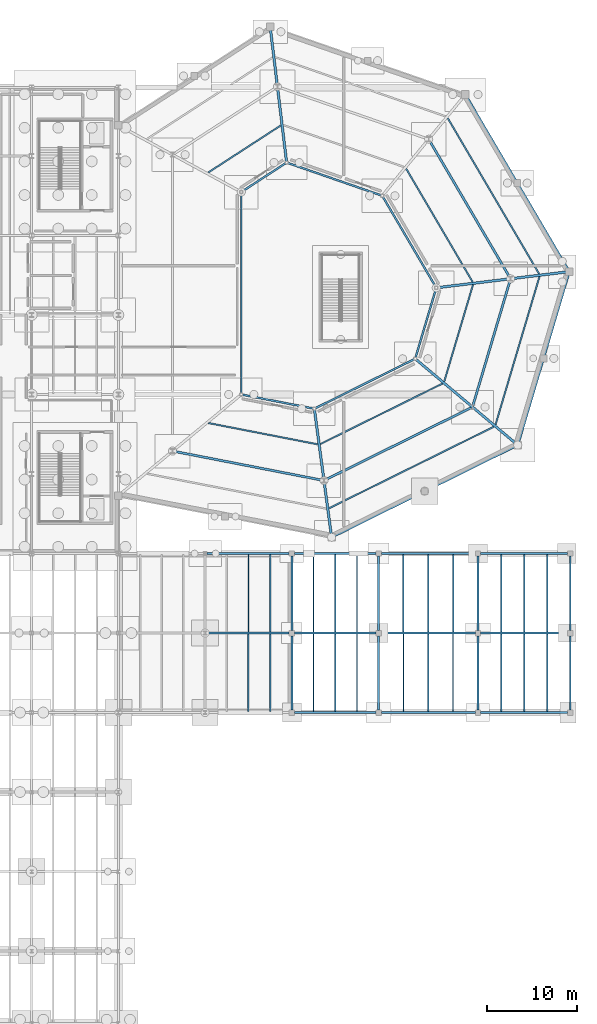
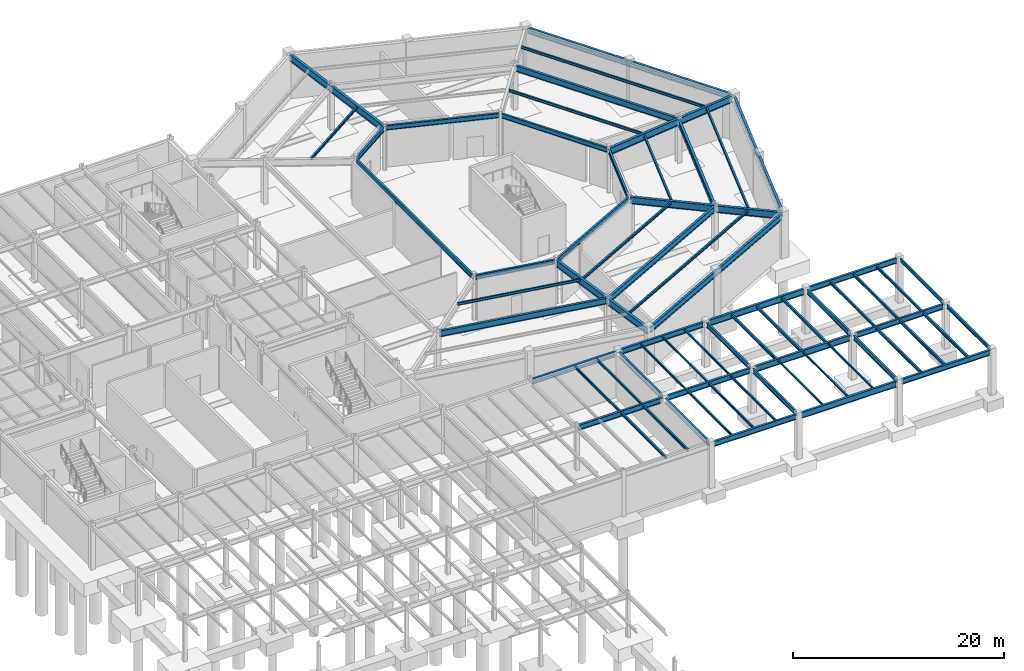
# One storey, part 23 of 48: 67 beams.
"""IFC4 building model written with IfcOpenShell, lengths in metres."""

from ifc_helpers import new_model, si_unit, direction, frame, origin, origin_2d, place, context, subcontext, project, spatial, i_section, extrude, material, material_profile, profile_set, type_object, element, save


model = new_model("IFC4")

# Units and contexts
model_context = context("Model", 3, precision=1e-05, world=origin(), true_north=direction((0.0, 1.0)))
body_context = subcontext(model_context, "Body", "Model", "MODEL_VIEW")
ifc_project = project(units=[si_unit("LENGTHUNIT", "METRE"), si_unit("AREAUNIT", "SQUARE_METRE"), si_unit("VOLUMEUNIT", "CUBIC_METRE"), si_unit("PLANEANGLEUNIT", "RADIAN"), si_unit("MASSUNIT", "GRAM", prefix="KILO")], contexts=[model_context])

# Site, building, storey
site_placement = place(None, origin())
site = spatial("IfcSite", under=ifc_project, at=site_placement, CompositionType="ELEMENT")
building_placement = place(site_placement, origin())
building = spatial("IfcBuilding", under=site, at=building_placement, Name="Sarnbrook Museum", CompositionType="ELEMENT")
storey_placement = place(building_placement, frame((0.0, 0.0, -5.39990234375)))
storey = spatial("IfcBuildingStorey", under=building, at=storey_placement, Name="B1", CompositionType="ELEMENT", Elevation=-5.39990234375)

# Beams
ifc_material_1 = material(Name="Structural Steel Grade 300PLUS (AS/NZS 3679.1, fy = 280 MPa for 17 < t <= 40 mm, 300 MPa for t <= 17 mm)", Category="steel")
ifc_material_profile_1 = material_profile(ifc_material_1, i_section(OverallWidth=0.208984375, OverallDepth=0.532958984375, WebThickness=0.01025390625, FlangeThickness=0.015625, FilletRadius=0.013916015625, at=origin_2d()), Name="530UB92.4")
ifc_profile_set_1 = profile_set([ifc_material_profile_1], Name="Structural Steel Grade 300PLUS (AS/NZS 3679.1, fy = 280 MPa for 17 < t <= 40 mm, 300 MPa for t <= 17 mm)")
beam_type_1 = type_object("IfcBeamType", Name="BM-UB530", PredefinedType="BEAM", material=ifc_profile_set_1)
for number, where, z_axis, x_axis, name in (
    (1, (138.39990234375, 39.5, 4.843505859375), (0.0, 1.0, 0.0), (-1.0, 0.0, 0.0), "Girder 15:E-F B1"),
    (2, (138.39990234375, 48.300048828125, 4.843505859375), (0.0, 1.0, 0.0), (-1.0, 0.0, 0.0), "Girder 15:F-G B1"),
    (3, (148.0, 39.5, 4.893310546875), (0.0, 1.0, 0.0), (-1.0, 0.0, 0.0), "Girder 16:E-F B1"),
    (4, (148.0, 48.300048828125, 4.893310546875), (0.0, 1.0, 0.0), (-1.0, 0.0, 0.0), "Girder 16:F-G B1"),
    (5, (159.0, 39.5, 4.893310546875), (0.0, 1.0, 0.0), (-1.0, 0.0, 0.0), "Girder 17:E-F B1"),
    (6, (159.0, 48.300048828125, 4.893310546875), (0.0, 1.0, 0.0), (-1.0, 0.0, 0.0), "Girder 17:F-G B1"),
):
    element("IfcBeam", number, at=place(storey_placement, frame(where, z_axis=z_axis, x_axis=x_axis)), inside=storey, type_object=beam_type_1, Name=name, PredefinedType="BEAM", context=body_context, shape_type="SweptSolid", body=[
        extrude(i_section(OverallWidth=0.208984375, OverallDepth=0.532958984375, WebThickness=0.01025390625, FlangeThickness=0.015625, FilletRadius=0.013916015625, at=origin_2d()), origin(), (0.0, 0.0, 1.0), 8.199951171875),
    ])
beam_1_placement = place(storey_placement, frame((132.917724609375, 74.382080078125, 4.823486328125), z_axis=(0.981531426605, -0.191300963369, 0.0), x_axis=(0.191300963369, 0.981531426605, 0.0)))
element("IfcBeam", 7, at=beam_1_placement, inside=storey, type_object=beam_type_1, Name="Crystal Hall R2 Ring Girder 1 B1", PredefinedType="BEAM", context=body_context, shape_type="SweptSolid", body=[
    extrude(i_section(OverallWidth=0.208984375, OverallDepth=0.532958984375, WebThickness=0.01025390625, FlangeThickness=0.015625, FilletRadius=0.013916015625, at=origin_2d()), origin(), (0.0, 0.0, 1.0), 7.999267578125),
])
beam_2_placement = place(storey_placement, frame((140.99462890625, 72.882080078125, 4.823486328125), z_axis=(0.896163006555, 0.443724988796, 0.0), x_axis=(-0.443724988796, 0.896163006555, 0.0)))
element("IfcBeam", 8, at=beam_2_placement, inside=storey, type_object=beam_type_1, Name="Crystal Hall R2 Ring Girder 2 B1", PredefinedType="BEAM", context=body_context, shape_type="SweptSolid", body=[
    extrude(i_section(OverallWidth=0.208984375, OverallDepth=0.532958984375, WebThickness=0.01025390625, FlangeThickness=0.015625, FilletRadius=0.013916015625, at=origin_2d()), origin(), (0.0, 0.0, 1.0), 12.216796875),
])
beam_3_placement = place(storey_placement, frame((152.08447265625, 78.47119140625, 4.823486328125), z_axis=(0.284603578138, 0.958645295879, 0.0), x_axis=(-0.958645295879, 0.284603578138, 0.0)))
element("IfcBeam", 9, at=beam_3_placement, inside=storey, type_object=beam_type_1, Name="Crystal Hall R2 Ring Girder 3 B1", PredefinedType="BEAM", context=body_context, shape_type="SweptSolid", body=[
    extrude(i_section(OverallWidth=0.208984375, OverallDepth=0.532958984375, WebThickness=0.01025390625, FlangeThickness=0.015625, FilletRadius=0.013916015625, at=origin_2d()), origin(), (0.0, 0.0, 1.0), 7.952880859375),
])
beam_4_placement = place(storey_placement, frame((154.3212890625, 86.313720703125, 4.823486328125), z_axis=(-0.506064427748, 0.862495678231, 0.0), x_axis=(-0.862495678231, -0.506064427748, 0.0)))
element("IfcBeam", 10, at=beam_4_placement, inside=storey, type_object=beam_type_1, Name="Crystal Hall R2 Ring Girder 4 B1", PredefinedType="BEAM", context=body_context, shape_type="SweptSolid", body=[
    extrude(i_section(OverallWidth=0.208984375, OverallDepth=0.532958984375, WebThickness=0.01025390625, FlangeThickness=0.015625, FilletRadius=0.013916015625, at=origin_2d()), origin(), (0.0, 0.0, 1.0), 11.569580078125),
])
beam_5_placement = place(storey_placement, frame((148.292236328125, 96.435302734375, 4.823486328125), z_axis=(-0.944674814318, 0.328008376711, 0.0), x_axis=(-0.328008376711, -0.944674814318, 0.0)))
element("IfcBeam", 11, at=beam_5_placement, inside=storey, type_object=beam_type_1, Name="Crystal Hall R2 Ring Girder 5 B1", PredefinedType="BEAM", context=body_context, shape_type="SweptSolid", body=[
    extrude(i_section(OverallWidth=0.208984375, OverallDepth=0.532958984375, WebThickness=0.01025390625, FlangeThickness=0.015625, FilletRadius=0.013916015625, at=origin_2d()), origin(), (0.0, 0.0, 1.0), 10.962890625),
])
beam_6_placement = place(storey_placement, frame((137.7216796875, 100.00537109375, 4.823486328125), z_axis=(-0.838900474039, -0.544284846984, 0.0), x_axis=(0.544284846984, -0.838900474039, 0.0)))
element("IfcBeam", 12, at=beam_6_placement, inside=storey, type_object=beam_type_1, Name="Crystal Hall R2 Ring Girder 6 B1", PredefinedType="BEAM", context=body_context, shape_type="SweptSolid", body=[
    extrude(i_section(OverallWidth=0.208984375, OverallDepth=0.532958984375, WebThickness=0.01025390625, FlangeThickness=0.015625, FilletRadius=0.013916015625, at=origin_2d()), origin(), (0.0, 0.0, 1.0), 5.746826171875),
])
beam_7_placement = place(storey_placement, frame((132.800048828125, 96.692138671875, 4.823486328125), z_axis=(0.0, -1.0, 0.0), x_axis=(1.0, 0.0, 0.0)))
element("IfcBeam", 13, at=beam_7_placement, inside=storey, type_object=beam_type_1, Name="Crystal Hall R2 Ring Girder 7 B1", PredefinedType="BEAM", context=body_context, shape_type="SweptSolid", body=[
    extrude(i_section(OverallWidth=0.208984375, OverallDepth=0.532958984375, WebThickness=0.01025390625, FlangeThickness=0.015625, FilletRadius=0.013916015625, at=origin_2d()), origin(), (0.0, 0.0, 1.0), 22.1669921875),
])
ifc_material_profile_2 = material_profile(ifc_material_1, i_section(OverallWidth=0.22900390625, OverallDepth=0.612060546875, WebThickness=0.011962890625, FlangeThickness=0.01953125, FilletRadius=0.013916015625, at=origin_2d()), Name="610UB125")
ifc_profile_set_2 = profile_set([ifc_material_profile_2], Name="Structural Steel Grade 300PLUS (AS/NZS 3679.1, fy = 280 MPa for 17 < t <= 40 mm, 300 MPa for t <= 17 mm)")
beam_type_2 = type_object("IfcBeamType", Name="BM-UB610H", PredefinedType="BEAM", material=ifc_profile_set_2)
beam_8_placement = place(storey_placement, frame((138.699951171875, 39.199951171875, 4.85400390625), z_axis=(1.0, 0.0, 0.0), x_axis=(0.0, 1.0, 0.0)))
element("IfcBeam", 14, at=beam_8_placement, inside=storey, type_object=beam_type_2, Name="Girder E:15-16 B1", PredefinedType="BEAM", context=body_context, shape_type="SweptSolid", body=[
    extrude(i_section(OverallWidth=0.22900390625, OverallDepth=0.612060546875, WebThickness=0.011962890625, FlangeThickness=0.01953125, FilletRadius=0.013916015625, at=origin_2d()), origin(), (0.0, 0.0, 1.0), 9.0),
])
beam_9_placement = place(storey_placement, frame((159.300048828125, 39.199951171875, 4.85400390625), z_axis=(1.0, 0.0, 0.0), x_axis=(0.0, 1.0, 0.0)))
element("IfcBeam", 15, at=beam_9_placement, inside=storey, type_object=beam_type_2, Name="Girder E:17-18 B1", PredefinedType="BEAM", context=body_context, shape_type="SweptSolid", body=[
    extrude(i_section(OverallWidth=0.22900390625, OverallDepth=0.612060546875, WebThickness=0.011962890625, FlangeThickness=0.01953125, FilletRadius=0.013916015625, at=origin_2d()), origin(), (0.0, 0.0, 1.0), 9.599853515625),
])
beam_10_placement = place(storey_placement, frame((129.0, 48.0, 4.803955078125), z_axis=(1.0, 0.0, 0.0), x_axis=(0.0, 1.0, 0.0)))
element("IfcBeam", 16, at=beam_10_placement, inside=storey, type_object=beam_type_2, Name="Girder F:14-15 B1", PredefinedType="BEAM", context=body_context, shape_type="SweptSolid", body=[
    extrude(i_section(OverallWidth=0.22900390625, OverallDepth=0.612060546875, WebThickness=0.011962890625, FlangeThickness=0.01953125, FilletRadius=0.013916015625, at=origin_2d()), origin(), (0.0, 0.0, 1.0), 9.10009765625),
])
beam_11_placement = place(storey_placement, frame((138.699951171875, 48.0, 4.85400390625), z_axis=(1.0, 0.0, 0.0), x_axis=(0.0, 1.0, 0.0)))
element("IfcBeam", 17, at=beam_11_placement, inside=storey, type_object=beam_type_2, Name="Girder F:15-16 B1", PredefinedType="BEAM", context=body_context, shape_type="SweptSolid", body=[
    extrude(i_section(OverallWidth=0.22900390625, OverallDepth=0.612060546875, WebThickness=0.011962890625, FlangeThickness=0.01953125, FilletRadius=0.013916015625, at=origin_2d()), origin(), (0.0, 0.0, 1.0), 9.0),
])
beam_12_placement = place(storey_placement, frame((159.300048828125, 48.0, 4.85400390625), z_axis=(1.0, 0.0, 0.0), x_axis=(0.0, 1.0, 0.0)))
element("IfcBeam", 18, at=beam_12_placement, inside=storey, type_object=beam_type_2, Name="Girder F:17-18 B1", PredefinedType="BEAM", context=body_context, shape_type="SweptSolid", body=[
    extrude(i_section(OverallWidth=0.22900390625, OverallDepth=0.612060546875, WebThickness=0.011962890625, FlangeThickness=0.01953125, FilletRadius=0.013916015625, at=origin_2d()), origin(), (0.0, 0.0, 1.0), 9.599853515625),
])
beam_13_placement = place(storey_placement, frame((129.0, 56.800048828125, 4.803955078125), z_axis=(1.0, 0.0, 0.0), x_axis=(0.0, 1.0, 0.0)))
element("IfcBeam", 19, at=beam_13_placement, inside=storey, type_object=beam_type_2, Name="Girder G:14-15 B1", PredefinedType="BEAM", context=body_context, shape_type="SweptSolid", body=[
    extrude(i_section(OverallWidth=0.22900390625, OverallDepth=0.612060546875, WebThickness=0.011962890625, FlangeThickness=0.01953125, FilletRadius=0.013916015625, at=origin_2d()), origin(), (0.0, 0.0, 1.0), 9.10009765625),
])
beam_14_placement = place(storey_placement, frame((138.699951171875, 56.800048828125, 4.85400390625), z_axis=(1.0, 0.0, 0.0), x_axis=(0.0, 1.0, 0.0)))
element("IfcBeam", 20, at=beam_14_placement, inside=storey, type_object=beam_type_2, Name="Girder G:15-16 B1", PredefinedType="BEAM", context=body_context, shape_type="SweptSolid", body=[
    extrude(i_section(OverallWidth=0.22900390625, OverallDepth=0.612060546875, WebThickness=0.011962890625, FlangeThickness=0.01953125, FilletRadius=0.013916015625, at=origin_2d()), origin(), (0.0, 0.0, 1.0), 9.0),
])
beam_15_placement = place(storey_placement, frame((159.300048828125, 56.800048828125, 4.85400390625), z_axis=(1.0, 0.0, 0.0), x_axis=(0.0, 1.0, 0.0)))
element("IfcBeam", 21, at=beam_15_placement, inside=storey, type_object=beam_type_2, Name="Girder G:17-18 B1", PredefinedType="BEAM", context=body_context, shape_type="SweptSolid", body=[
    extrude(i_section(OverallWidth=0.22900390625, OverallDepth=0.612060546875, WebThickness=0.011962890625, FlangeThickness=0.01953125, FilletRadius=0.013916015625, at=origin_2d()), origin(), (0.0, 0.0, 1.0), 9.599853515625),
])
ifc_material_2 = material(Name="Structural Steel Grade 350L0 (AS/NZS 3678, fy = 340 MPa for 20 < t <= 40 mm)", Category="steel")
ifc_material_profile_3 = material_profile(ifc_material_2, i_section(OverallWidth=0.25, OverallDepth=0.699951171875, WebThickness=0.010009765625, FlangeThickness=0.01611328125, at=origin_2d()), Name="700WB130")
ifc_profile_set_3 = profile_set([ifc_material_profile_3], Name="Structural Steel Grade 350L0 (AS/NZS 3678, fy = 340 MPa for 20 < t <= 40 mm)")
beam_type_3 = type_object("IfcBeamType", Name="BM-WB700", PredefinedType="BEAM", material=ifc_profile_set_3)
for number, where, z_axis, x_axis, name in (
    (22, (148.300048828125, 39.199951171875, 4.809814453125), (1.0, 0.0, 0.0), (0.0, 1.0, 0.0), "Girder E:16-17 B1"),
    (23, (148.300048828125, 48.0, 4.809814453125), (1.0, 0.0, 0.0), (0.0, 1.0, 0.0), "Girder F:16-17 B1"),
    (24, (148.300048828125, 56.800048828125, 4.809814453125), (1.0, 0.0, 0.0), (0.0, 1.0, 0.0), "Girder G:16-17 B1"),
):
    element("IfcBeam", number, at=place(storey_placement, frame(where, z_axis=z_axis, x_axis=x_axis)), inside=storey, type_object=beam_type_3, Name=name, PredefinedType="BEAM", context=body_context, shape_type="SweptSolid", body=[
        extrude(i_section(OverallWidth=0.25, OverallDepth=0.699951171875, WebThickness=0.010009765625, FlangeThickness=0.01611328125, at=origin_2d()), origin(), (0.0, 0.0, 1.0), 10.39990234375),
    ])
beam_16_placement = place(storey_placement, frame((125.35693359375, 68.11279296875, 4.739990234375), z_axis=(0.981528590883, -0.191315512384, 0.0), x_axis=(0.191315512384, 0.981528590883, 0.0)))
element("IfcBeam", 25, at=beam_16_placement, inside=storey, type_object=beam_type_3, Name="Crystal Hall R1 Ring Girder 1 B1", PredefinedType="BEAM", context=body_context, shape_type="SweptSolid", body=[
    extrude(i_section(OverallWidth=0.25, OverallDepth=0.699951171875, WebThickness=0.010009765625, FlangeThickness=0.01611328125, at=origin_2d()), origin(), (0.0, 0.0, 1.0), 16.75146484375),
])
beam_17_placement = place(storey_placement, frame((143.02392578125, 58.7109375, 4.739990234375), z_axis=(0.896159699382, 0.443731668021, 0.0), x_axis=(-0.443731668021, 0.896159699382, 0.0)))
element("IfcBeam", 26, at=beam_17_placement, inside=storey, type_object=beam_type_3, Name="Crystal Hall Perimeter Ring Girder 2 B1", PredefinedType="BEAM", context=body_context, shape_type="SweptSolid", body=[
    extrude(i_section(OverallWidth=0.25, OverallDepth=0.699951171875, WebThickness=0.010009765625, FlangeThickness=0.01611328125, at=origin_2d()), origin(), (0.0, 0.0, 1.0), 22.487060546875),
])
beam_18_placement = place(storey_placement, frame((142.099609375, 64.948486328125, 4.739990234375), z_axis=(0.8961652972, 0.443720362497, 0.0), x_axis=(-0.443720362497, 0.8961652972, 0.0)))
element("IfcBeam", 27, at=beam_18_placement, inside=storey, type_object=beam_type_3, Name="Crystal Hall R1 Ring Girder 2 B1", PredefinedType="BEAM", context=body_context, shape_type="SweptSolid", body=[
    extrude(i_section(OverallWidth=0.25, OverallDepth=0.699951171875, WebThickness=0.010009765625, FlangeThickness=0.01611328125, at=origin_2d()), origin(), (0.0, 0.0, 1.0), 18.021240234375),
])
beam_19_placement = place(storey_placement, frame((163.47119140625, 69.039794921875, 4.739990234375), z_axis=(0.284597390812, 0.958647132757, 0.0), x_axis=(-0.958647132757, 0.284597390812, 0.0)))
element("IfcBeam", 28, at=beam_19_placement, inside=storey, type_object=beam_type_3, Name="Crystal Hall Perimeter Ring Girder 3 B1", PredefinedType="BEAM", context=body_context, shape_type="SweptSolid", body=[
    extrude(i_section(OverallWidth=0.25, OverallDepth=0.699951171875, WebThickness=0.010009765625, FlangeThickness=0.01611328125, at=origin_2d()), origin(), (0.0, 0.0, 1.0), 19.528076171875),
])
beam_20_placement = place(storey_placement, frame((158.438232421875, 73.169189453125, 4.739990234375), z_axis=(0.284607000201, 0.958644279927, 0.0), x_axis=(-0.958644279927, 0.284607000201, 0.0)))
element("IfcBeam", 29, at=beam_20_placement, inside=storey, type_object=beam_type_3, Name="Crystal Hall R1 Ring Girder 3 B1", PredefinedType="BEAM", context=body_context, shape_type="SweptSolid", body=[
    extrude(i_section(OverallWidth=0.25, OverallDepth=0.699951171875, WebThickness=0.010009765625, FlangeThickness=0.01611328125, at=origin_2d()), origin(), (0.0, 0.0, 1.0), 14.48681640625),
])
beam_21_placement = place(storey_placement, frame((168.973388671875, 88.215576171875, 4.739990234375), z_axis=(-0.506049588583, 0.862504384856, 0.0), x_axis=(-0.862504384856, -0.506049588583, 0.0)))
element("IfcBeam", 30, at=beam_21_placement, inside=storey, type_object=beam_type_3, Name="Crystal Hall Perimeter Ring Girder 4 B1", PredefinedType="BEAM", context=body_context, shape_type="SweptSolid", body=[
    extrude(i_section(OverallWidth=0.25, OverallDepth=0.699951171875, WebThickness=0.010009765625, FlangeThickness=0.01611328125, at=origin_2d()), origin(), (0.0, 0.0, 1.0), 22.224853515625),
])
beam_22_placement = place(storey_placement, frame((162.52587890625, 87.348388671875, 4.739990234375), z_axis=(-0.506057154474, 0.862499945743, 0.0), x_axis=(-0.862499945743, -0.506057154474, 0.0)))
element("IfcBeam", 31, at=beam_22_placement, inside=storey, type_object=beam_type_3, Name="Crystal Hall R1 Ring Girder 4 B1", PredefinedType="BEAM", context=body_context, shape_type="SweptSolid", body=[
    extrude(i_section(OverallWidth=0.25, OverallDepth=0.699951171875, WebThickness=0.010009765625, FlangeThickness=0.01611328125, at=origin_2d()), origin(), (0.0, 0.0, 1.0), 17.589111328125),
])
ifc_material_profile_4 = material_profile(ifc_material_2, i_section(OverallWidth=0.27490234375, OverallDepth=0.800048828125, WebThickness=0.010009765625, FlangeThickness=0.01611328125, at=origin_2d()), Name="800WB146")
ifc_profile_set_4 = profile_set([ifc_material_profile_4], Name="Structural Steel Grade 350L0 (AS/NZS 3678, fy = 340 MPa for 20 < t <= 40 mm)")
beam_type_4 = type_object("IfcBeamType", Name="CR-CANT", PredefinedType="BEAM", material=ifc_profile_set_4)
beam_23_placement = place(storey_placement, frame((140.9033203125, 72.7099609375, 4.68994140625), z_axis=(0.133225086928, -0.991085806685, 0.0), x_axis=(0.991085806685, 0.133225086928, 0.0)))
element("IfcBeam", 32, at=beam_23_placement, inside=storey, type_object=beam_type_4, Name="Crystal Hall Radial Cantilever Girder 2 B1", PredefinedType="BEAM", context=body_context, shape_type="SweptSolid", body=[
    extrude(i_section(OverallWidth=0.27490234375, OverallDepth=0.800048828125, WebThickness=0.010009765625, FlangeThickness=0.01611328125, at=origin_2d()), origin(), (0.0, 0.0, 1.0), 14.086669921875),
])
beam_24_placement = place(storey_placement, frame((152.14208984375, 78.27880859375, 4.68994140625), z_axis=(0.764962479797, -0.644074843867, 0.0), x_axis=(0.644074843867, 0.764962479797, 0.0)))
element("IfcBeam", 33, at=beam_24_placement, inside=storey, type_object=beam_type_4, Name="Crystal Hall Radial Cantilever Girder 3 B1", PredefinedType="BEAM", context=body_context, shape_type="SweptSolid", body=[
    extrude(i_section(OverallWidth=0.27490234375, OverallDepth=0.800048828125, WebThickness=0.010009765625, FlangeThickness=0.01611328125, at=origin_2d()), origin(), (0.0, 0.0, 1.0), 14.567138671875),
])
beam_25_placement = place(storey_placement, frame((154.501220703125, 86.224609375, 4.68994140625), z_axis=(0.992685983377, 0.12072505294, 0.0), x_axis=(-0.12072505294, 0.992685983377, 0.0)))
element("IfcBeam", 34, at=beam_25_placement, inside=storey, type_object=beam_type_4, Name="Crystal Hall Radial Cantilever Girder 4 B1", PredefinedType="BEAM", context=body_context, shape_type="SweptSolid", body=[
    extrude(i_section(OverallWidth=0.27490234375, OverallDepth=0.800048828125, WebThickness=0.010009765625, FlangeThickness=0.01611328125, at=origin_2d()), origin(), (0.0, 0.0, 1.0), 14.556396484375),
])
beam_26_placement = place(storey_placement, frame((137.80810546875, 100.189697265625, 4.68994140625), z_axis=(-0.120382362103, 0.992727599543, 0.0), x_axis=(-0.992727599543, -0.120382362103, 0.0)))
element("IfcBeam", 35, at=beam_26_placement, inside=storey, type_object=beam_type_4, Name="Crystal Hall Radial Cantilever Girder 6 B1", PredefinedType="BEAM", context=body_context, shape_type="SweptSolid", body=[
    extrude(i_section(OverallWidth=0.27490234375, OverallDepth=0.800048828125, WebThickness=0.010009765625, FlangeThickness=0.01611328125, at=origin_2d()), origin(), (0.0, 0.0, 1.0), 14.86962890625),
])
ifc_material_profile_5 = material_profile(ifc_material_1, i_section(OverallWidth=0.134033203125, OverallDepth=0.20703125, WebThickness=0.00634765625, FlangeThickness=0.009521484375, FilletRadius=0.0087890625, at=origin_2d()), Name="200UB29.8")
ifc_profile_set_5 = profile_set([ifc_material_profile_5], Name="Structural Steel Grade 300PLUS (AS/NZS 3679.1, fy = 280 MPa for 17 < t <= 40 mm, 300 MPa for t <= 17 mm)")
beam_type_5 = type_object("IfcBeamType", Name="JS-UB200", PredefinedType="JOIST", material=ifc_profile_set_5)
for number, where, z_axis, x_axis, name in (
    (36, (140.800048828125, 48.114501953125, 5.056396484375), (0.0, 1.0, 0.0), (-1.0, 0.0, 0.0), "Composite Floor Joist 15F-1 B1"),
    (37, (143.199951171875, 48.114501953125, 5.056396484375), (0.0, 1.0, 0.0), (-1.0, 0.0, 0.0), "Composite Floor Joist 15F-2 B1"),
    (38, (145.60009765625, 48.114501953125, 5.056396484375), (0.0, 1.0, 0.0), (-1.0, 0.0, 0.0), "Composite Floor Joist 15F-3 B1"),
):
    element("IfcBeam", number, at=place(storey_placement, frame(where, z_axis=z_axis, x_axis=x_axis)), inside=storey, type_object=beam_type_5, Name=name, PredefinedType="JOIST", context=body_context, shape_type="SweptSolid", body=[
        extrude(i_section(OverallWidth=0.134033203125, OverallDepth=0.20703125, WebThickness=0.00634765625, FlangeThickness=0.009521484375, FilletRadius=0.0087890625, at=origin_2d()), origin(), (0.0, 0.0, 1.0), 8.571044921875),
    ])
for number, where, z_axis, x_axis, name in (
    (39, (150.75, 39.324951171875, 5.056396484375), (0.0, 1.0, 0.0), (-1.0, 0.0, 0.0), "Composite Floor Joist 16E-1 B1"),
    (40, (153.5, 39.324951171875, 5.056396484375), (0.0, 1.0, 0.0), (-1.0, 0.0, 0.0), "Composite Floor Joist 16E-2 B1"),
    (41, (156.25, 39.324951171875, 5.056396484375), (0.0, 1.0, 0.0), (-1.0, 0.0, 0.0), "Composite Floor Joist 16E-3 B1"),
):
    element("IfcBeam", number, at=place(storey_placement, frame(where, z_axis=z_axis, x_axis=x_axis)), inside=storey, type_object=beam_type_5, Name=name, PredefinedType="JOIST", context=body_context, shape_type="SweptSolid", body=[
        extrude(i_section(OverallWidth=0.134033203125, OverallDepth=0.20703125, WebThickness=0.00634765625, FlangeThickness=0.009521484375, FilletRadius=0.0087890625, at=origin_2d()), origin(), (0.0, 0.0, 1.0), 8.550048828125),
    ])
ifc_material_profile_6 = material_profile(ifc_material_1, i_section(OverallWidth=0.14599609375, OverallDepth=0.256103515625, WebThickness=0.00634765625, FlangeThickness=0.010986328125, FilletRadius=0.0087890625, at=origin_2d()), Name="250UB37.3")
ifc_profile_set_6 = profile_set([ifc_material_profile_6], Name="Structural Steel Grade 300PLUS (AS/NZS 3679.1, fy = 280 MPa for 17 < t <= 40 mm, 300 MPa for t <= 17 mm)")
beam_type_6 = type_object("IfcBeamType", Name="JS-UB250", PredefinedType="JOIST", material=ifc_profile_set_6)
for number, where, z_axis, x_axis, name in (
    (42, (133.60009765625, 48.114501953125, 4.98193359375), (0.0, 1.0, 0.0), (-1.0, 0.0, 0.0), "Composite Floor Joist 14F-2 B1"),
    (43, (136.0, 48.114501953125, 4.98193359375), (0.0, 1.0, 0.0), (-1.0, 0.0, 0.0), "Composite Floor Joist 14F-3 B1"),
    (44, (140.800048828125, 39.314453125, 5.031982421875), (0.0, 1.0, 0.0), (-1.0, 0.0, 0.0), "Composite Floor Joist 15E-1 B1"),
    (45, (143.199951171875, 39.314453125, 5.031982421875), (0.0, 1.0, 0.0), (-1.0, 0.0, 0.0), "Composite Floor Joist 15E-2 B1"),
    (46, (145.60009765625, 39.314453125, 5.031982421875), (0.0, 1.0, 0.0), (-1.0, 0.0, 0.0), "Composite Floor Joist 15E-3 B1"),
):
    element("IfcBeam", number, at=place(storey_placement, frame(where, z_axis=z_axis, x_axis=x_axis)), inside=storey, type_object=beam_type_6, Name=name, PredefinedType="JOIST", context=body_context, shape_type="SweptSolid", body=[
        extrude(i_section(OverallWidth=0.14599609375, OverallDepth=0.256103515625, WebThickness=0.00634765625, FlangeThickness=0.010986328125, FilletRadius=0.0087890625, at=origin_2d()), origin(), (0.0, 0.0, 1.0), 8.571044921875),
    ])
ifc_material_profile_7 = material_profile(ifc_material_1, i_section(OverallWidth=0.1650390625, OverallDepth=0.303955078125, WebThickness=0.006103515625, FlangeThickness=0.01025390625, FilletRadius=0.011474609375, at=origin_2d()), Name="310UB40.4")
ifc_profile_set_7 = profile_set([ifc_material_profile_7], Name="Structural Steel Grade 300PLUS (AS/NZS 3679.1, fy = 280 MPa for 17 < t <= 40 mm, 300 MPa for t <= 17 mm)")
beam_type_7 = type_object("IfcBeamType", Name="JS-UB310", PredefinedType="JOIST", material=ifc_profile_set_7)
for number, where, z_axis, x_axis, name in (
    (47, (133.60009765625, 39.314453125, 4.9580078125), (0.0, 1.0, 0.0), (-1.0, 0.0, 0.0), "Composite Floor Joist 14E-2 B1"),
    (48, (136.0, 39.314453125, 4.9580078125), (0.0, 1.0, 0.0), (-1.0, 0.0, 0.0), "Composite Floor Joist 14E-3 B1"),
):
    element("IfcBeam", number, at=place(storey_placement, frame(where, z_axis=z_axis, x_axis=x_axis)), inside=storey, type_object=beam_type_7, Name=name, PredefinedType="JOIST", context=body_context, shape_type="SweptSolid", body=[
        extrude(i_section(OverallWidth=0.1650390625, OverallDepth=0.303955078125, WebThickness=0.006103515625, FlangeThickness=0.01025390625, FilletRadius=0.011474609375, at=origin_2d()), origin(), (0.0, 0.0, 1.0), 8.571044921875),
    ])
beam_27_placement = place(storey_placement, frame((129.156982421875, 71.24365234375, 4.93798828125), z_axis=(0.981530313101, -0.191306676475, 0.0), x_axis=(0.191306676475, 0.981530313101, 0.0)))
element("IfcBeam", 49, at=beam_27_placement, inside=storey, type_object=beam_type_7, Name="Crystal Hall Tangential Joist MI-1 B1", PredefinedType="JOIST", context=body_context, shape_type="SweptSolid", body=[
    extrude(i_section(OverallWidth=0.1650390625, OverallDepth=0.303955078125, WebThickness=0.006103515625, FlangeThickness=0.01025390625, FilletRadius=0.011474609375, at=origin_2d()), origin(), (0.0, 0.0, 1.0), 12.33544921875),
])
beam_28_placement = place(storey_placement, frame((142.521484375, 61.809814453125, 4.93798828125), z_axis=(0.896162900566, 0.443725202855, 0.0), x_axis=(-0.443725202855, 0.896162900566, 0.0)))
element("IfcBeam", 50, at=beam_28_placement, inside=storey, type_object=beam_type_7, Name="Crystal Hall Tangential Joist MO-2 B1", PredefinedType="JOIST", context=body_context, shape_type="SweptSolid", body=[
    extrude(i_section(OverallWidth=0.1650390625, OverallDepth=0.303955078125, WebThickness=0.006103515625, FlangeThickness=0.01025390625, FilletRadius=0.011474609375, at=origin_2d()), origin(), (0.0, 0.0, 1.0), 20.343994140625),
])
beam_29_placement = place(storey_placement, frame((141.56494140625, 68.924072265625, 4.93798828125), z_axis=(0.89616253794, 0.443725935227, 0.0), x_axis=(-0.443725935227, 0.89616253794, 0.0)))
element("IfcBeam", 51, at=beam_29_placement, inside=storey, type_object=beam_type_7, Name="Crystal Hall Tangential Joist MI-2 B1", PredefinedType="JOIST", context=body_context, shape_type="SweptSolid", body=[
    extrude(i_section(OverallWidth=0.1650390625, OverallDepth=0.303955078125, WebThickness=0.006103515625, FlangeThickness=0.01025390625, FilletRadius=0.011474609375, at=origin_2d()), origin(), (0.0, 0.0, 1.0), 15.078857421875),
])
beam_30_placement = place(storey_placement, frame((160.94189453125, 71.061279296875, 4.93798828125), z_axis=(0.284598288426, 0.958646866278, 0.0), x_axis=(-0.958646866278, 0.284598288426, 0.0)))
element("IfcBeam", 52, at=beam_30_placement, inside=storey, type_object=beam_type_7, Name="Crystal Hall Tangential Joist MO-3 B1", PredefinedType="JOIST", context=body_context, shape_type="SweptSolid", body=[
    extrude(i_section(OverallWidth=0.1650390625, OverallDepth=0.303955078125, WebThickness=0.006103515625, FlangeThickness=0.01025390625, FilletRadius=0.011474609375, at=origin_2d()), origin(), (0.0, 0.0, 1.0), 17.09765625),
])
beam_31_placement = place(storey_placement, frame((155.26708984375, 75.83935546875, 4.93798828125), z_axis=(0.284608009206, 0.958643980368, 0.0), x_axis=(-0.958643980368, 0.284608009206, 0.0)))
element("IfcBeam", 53, at=beam_31_placement, inside=storey, type_object=beam_type_7, Name="Crystal Hall Tangential Joist MI-3 B1", PredefinedType="JOIST", context=body_context, shape_type="SweptSolid", body=[
    extrude(i_section(OverallWidth=0.1650390625, OverallDepth=0.303955078125, WebThickness=0.006103515625, FlangeThickness=0.01025390625, FilletRadius=0.011474609375, at=origin_2d()), origin(), (0.0, 0.0, 1.0), 11.179931640625),
])
beam_32_placement = place(storey_placement, frame((165.7724609375, 87.7431640625, 4.93798828125), z_axis=(-0.506059419233, 0.86249861693, 0.0), x_axis=(-0.86249861693, -0.506059419233, 0.0)))
element("IfcBeam", 54, at=beam_32_placement, inside=storey, type_object=beam_type_7, Name="Crystal Hall Tangential Joist MO-4 B1", PredefinedType="JOIST", context=body_context, shape_type="SweptSolid", body=[
    extrude(i_section(OverallWidth=0.1650390625, OverallDepth=0.303955078125, WebThickness=0.006103515625, FlangeThickness=0.01025390625, FilletRadius=0.011474609375, at=origin_2d()), origin(), (0.0, 0.0, 1.0), 19.996826171875),
])
beam_33_placement = place(storey_placement, frame((158.413330078125, 86.848388671875, 4.93798828125), z_axis=(-0.50605775092, 0.862499595788, 0.0), x_axis=(-0.862499595788, -0.50605775092, 0.0)))
element("IfcBeam", 55, at=beam_33_placement, inside=storey, type_object=beam_type_7, Name="Crystal Hall Tangential Joist MI-4 B1", PredefinedType="JOIST", context=body_context, shape_type="SweptSolid", body=[
    extrude(i_section(OverallWidth=0.1650390625, OverallDepth=0.303955078125, WebThickness=0.006103515625, FlangeThickness=0.01025390625, FilletRadius=0.011474609375, at=origin_2d()), origin(), (0.0, 0.0, 1.0), 14.5390625),
])
beam_34_placement = place(storey_placement, frame((137.178955078125, 104.18310546875, 4.93798828125), z_axis=(-0.838887141633, -0.54430539553, 0.0), x_axis=(0.54430539553, -0.838887141633, 0.0)))
element("IfcBeam", 56, at=beam_34_placement, inside=storey, type_object=beam_type_7, Name="Crystal Hall Tangential Joist MI-6 B1", PredefinedType="JOIST", context=body_context, shape_type="SweptSolid", body=[
    extrude(i_section(OverallWidth=0.1650390625, OverallDepth=0.303955078125, WebThickness=0.006103515625, FlangeThickness=0.01025390625, FilletRadius=0.011474609375, at=origin_2d()), origin(), (0.0, 0.0, 1.0), 9.589599609375),
])
ifc_material_profile_8 = material_profile(ifc_material_1, i_section(OverallWidth=0.166015625, OverallDepth=0.306884765625, WebThickness=0.006591796875, FlangeThickness=0.01171875, FilletRadius=0.011474609375, at=origin_2d()), Name="310UB46.2")
ifc_profile_set_8 = profile_set([ifc_material_profile_8], Name="Structural Steel Grade 300PLUS (AS/NZS 3679.1, fy = 280 MPa for 17 < t <= 40 mm, 300 MPa for t <= 17 mm)")
beam_type_8 = type_object("IfcBeamType", Name="JS-UB310H", PredefinedType="JOIST", material=ifc_profile_set_8)
for number, where, z_axis, x_axis, name in (
    (57, (161.550048828125, 48.114501953125, 5.00634765625), (0.0, 1.0, 0.0), (-1.0, 0.0, 0.0), "Composite Floor Joist 17F-1 B1"),
    (58, (164.10009765625, 48.114501953125, 5.00634765625), (0.0, 1.0, 0.0), (-1.0, 0.0, 0.0), "Composite Floor Joist 17F-2 B1"),
    (59, (166.64990234375, 48.114501953125, 5.00634765625), (0.0, 1.0, 0.0), (-1.0, 0.0, 0.0), "Composite Floor Joist 17F-3 B1"),
):
    element("IfcBeam", number, at=place(storey_placement, frame(where, z_axis=z_axis, x_axis=x_axis)), inside=storey, type_object=beam_type_8, Name=name, PredefinedType="JOIST", context=body_context, shape_type="SweptSolid", body=[
        extrude(i_section(OverallWidth=0.166015625, OverallDepth=0.306884765625, WebThickness=0.006591796875, FlangeThickness=0.01171875, FilletRadius=0.011474609375, at=origin_2d()), origin(), (0.0, 0.0, 1.0), 8.571044921875),
    ])
ifc_material_profile_9 = material_profile(ifc_material_1, i_section(OverallWidth=0.1708984375, OverallDepth=0.35595703125, WebThickness=0.00732421875, FlangeThickness=0.011474609375, FilletRadius=0.011474609375, at=origin_2d()), Name="360UB50.7")
ifc_profile_set_9 = profile_set([ifc_material_profile_9], Name="Structural Steel Grade 300PLUS (AS/NZS 3679.1, fy = 280 MPa for 17 < t <= 40 mm, 300 MPa for t <= 17 mm)")
beam_type_9 = type_object("IfcBeamType", Name="JS-UB360", PredefinedType="JOIST", material=ifc_profile_set_9)
for number, where, z_axis, x_axis, name in (
    (60, (150.75, 48.125, 4.98193359375), (0.0, 1.0, 0.0), (-1.0, 0.0, 0.0), "Composite Floor Joist 16F-1 B1"),
    (61, (153.5, 48.125, 4.98193359375), (0.0, 1.0, 0.0), (-1.0, 0.0, 0.0), "Composite Floor Joist 16F-2 B1"),
    (62, (156.25, 48.125, 4.98193359375), (0.0, 1.0, 0.0), (-1.0, 0.0, 0.0), "Composite Floor Joist 16F-3 B1"),
):
    element("IfcBeam", number, at=place(storey_placement, frame(where, z_axis=z_axis, x_axis=x_axis)), inside=storey, type_object=beam_type_9, Name=name, PredefinedType="JOIST", context=body_context, shape_type="SweptSolid", body=[
        extrude(i_section(OverallWidth=0.1708984375, OverallDepth=0.35595703125, WebThickness=0.00732421875, FlangeThickness=0.011474609375, FilletRadius=0.011474609375, at=origin_2d()), origin(), (0.0, 0.0, 1.0), 8.550048828125),
    ])
for number, where, z_axis, x_axis, name in (
    (63, (161.550048828125, 39.314453125, 4.98193359375), (0.0, 1.0, 0.0), (-1.0, 0.0, 0.0), "Composite Floor Joist 17E-1 B1"),
    (64, (164.10009765625, 39.314453125, 4.98193359375), (0.0, 1.0, 0.0), (-1.0, 0.0, 0.0), "Composite Floor Joist 17E-2 B1"),
    (65, (166.64990234375, 39.314453125, 4.98193359375), (0.0, 1.0, 0.0), (-1.0, 0.0, 0.0), "Composite Floor Joist 17E-3 B1"),
):
    element("IfcBeam", number, at=place(storey_placement, frame(where, z_axis=z_axis, x_axis=x_axis)), inside=storey, type_object=beam_type_9, Name=name, PredefinedType="JOIST", context=body_context, shape_type="SweptSolid", body=[
        extrude(i_section(OverallWidth=0.1708984375, OverallDepth=0.35595703125, WebThickness=0.00732421875, FlangeThickness=0.011474609375, FilletRadius=0.011474609375, at=origin_2d()), origin(), (0.0, 0.0, 1.0), 8.571044921875),
    ])
ifc_material_profile_10 = material_profile(ifc_material_1, i_section(OverallWidth=0.177978515625, OverallDepth=0.406005859375, WebThickness=0.0078125, FlangeThickness=0.0126953125, FilletRadius=0.011474609375, at=origin_2d()), Name="410UB59.7")
ifc_profile_set_10 = profile_set([ifc_material_profile_10], Name="Structural Steel Grade 300PLUS (AS/NZS 3679.1, fy = 280 MPa for 17 < t <= 40 mm, 300 MPa for t <= 17 mm)")
beam_type_10 = type_object("IfcBeamType", Name="SP-UB410", PredefinedType="SPANDREL", material=ifc_profile_set_10)
for number, where, z_axis, x_axis, name in (
    (66, (169.199951171875, 39.5, 4.956787109375), (0.0, 1.0, 0.0), (-1.0, 0.0, 0.0), "Girder 18:E-F B1"),
    (67, (169.199951171875, 48.300048828125, 4.956787109375), (0.0, 1.0, 0.0), (-1.0, 0.0, 0.0), "Girder 18:F-G B1"),
):
    element("IfcBeam", number, at=place(storey_placement, frame(where, z_axis=z_axis, x_axis=x_axis)), inside=storey, type_object=beam_type_10, Name=name, PredefinedType="SPANDREL", context=body_context, shape_type="SweptSolid", body=[
        extrude(i_section(OverallWidth=0.177978515625, OverallDepth=0.406005859375, WebThickness=0.0078125, FlangeThickness=0.0126953125, FilletRadius=0.011474609375, at=origin_2d()), origin(), (0.0, 0.0, 1.0), 8.199951171875),
    ])

save(model, "model.ifc")
